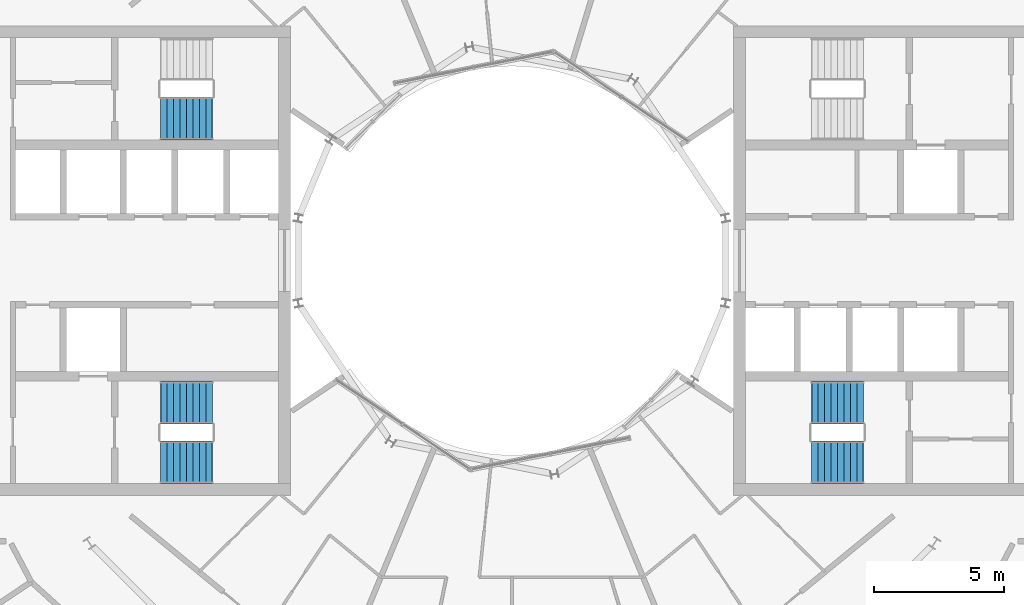
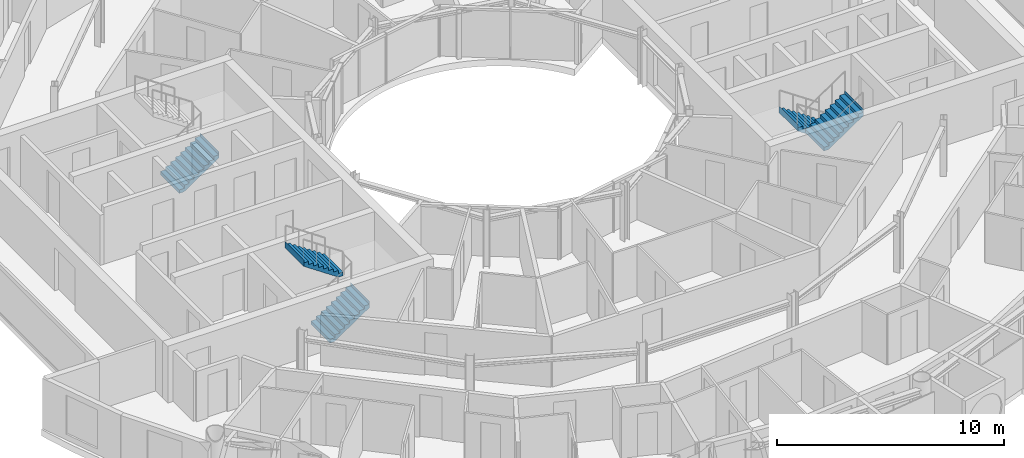
# One storey, part 26 of 29: 5 stair flights, 3 elements without a shape of their own.
"""IFC4 building model written with IfcOpenShell, lengths in metres."""

from ifc_helpers import new_model, si_unit, direction, frame, origin, place, context, subcontext, project, spatial, triangles, material, type_object, element, aggregate, save


model = new_model("IFC4")

# Units and contexts
model_context = context("Model", 3, precision=1e-05, world=origin(), true_north=direction((0.0, 1.0)))
body_context = subcontext(model_context, "Body", "Model", "MODEL_VIEW")
ifc_project = project(units=[si_unit("LENGTHUNIT", "METRE"), si_unit("AREAUNIT", "SQUARE_METRE"), si_unit("VOLUMEUNIT", "CUBIC_METRE"), si_unit("PLANEANGLEUNIT", "RADIAN"), si_unit("MASSUNIT", "GRAM", prefix="KILO")], contexts=[model_context])

# Site, building, storey
site_placement = place(None, origin())
site = spatial("IfcSite", under=ifc_project, at=site_placement, CompositionType="ELEMENT")
building_placement = place(site_placement, origin())
building = spatial("IfcBuilding", under=site, at=building_placement, Name="Maasbend Ring Residences", CompositionType="ELEMENT")
storey_placement = place(building_placement, frame((0.0, 0.0, 202.39990234375)))
storey = spatial("IfcBuildingStorey", under=building, at=storey_placement, Name="L58", CompositionType="ELEMENT", Elevation=202.39990234375)

# Stair, stair flights
ifc_material_1 = material(Name="Concrete C40/50", Category="concrete")
stair_type = type_object("IfcStairType", Name="CORE STAIR 18 RISERS", PredefinedType="HALF_TURN_STAIR", material=ifc_material_1)
stair_1_placement = place(storey_placement, origin())
stair_1 = element("IfcStair", 1, at=stair_1_placement, inside=storey, type_object=stair_type, Name="L58 Exit stair ST-E2", PredefinedType="HALF_TURN_STAIR")
ifc_material_2 = material(Name="Concrete C40/50", Category="concrete")
stair_flight_type = type_object("IfcStairFlightType", Name="CORE STAIR FLIGHT 1650", PredefinedType="STRAIGHT", material=ifc_material_2)
stair_flight_1_placement = place(storey_placement, frame((13.550048828125, -5.47509765625, 0.0), z_axis=(0.0, 0.0, 1.0), x_axis=(-1.0, 0.0, 0.0)))
stair_flight_1 = element("IfcStairFlight", 2, at=stair_flight_1_placement, type_object=stair_flight_type, Name="ST-E2 flight 1", NumberOfRisers=9, NumberOfTreads=8, PredefinedType="STRAIGHT", RiserHeight=0.169444444, TreadLength=0.25, context=body_context, shape_type="Tessellation", body=[
    triangles([(0.24072265625, 0.824951171875, -0.02001953125), (2.0029296875, 0.824951171875, 1.174560546875), (2.0029296875, 0.824951171875, 1.52490234375), (1.989990234375, 0.824951171875, 1.35546875), (1.75, 0.824951171875, 1.35546875), (1.75, 0.824951171875, 1.18603515625), (1.5, 0.824951171875, 1.18603515625), (1.5, 0.824951171875, 1.0166015625), (1.25, 0.824951171875, 1.0166015625), (1.25, 0.824951171875, 0.84716796875), (1.0, 0.824951171875, 0.84716796875), (1.0, 0.824951171875, 0.677734375), (0.75, 0.824951171875, 0.677734375), (0.75, 0.824951171875, 0.50830078125), (0.5, 0.824951171875, 0.50830078125), (0.5, 0.824951171875, 0.3388671875), (0.25, 0.824951171875, 0.3388671875), (0.25, 0.824951171875, 0.16943359375), (0.0, 0.824951171875, 0.16943359375), (0.0, 0.824951171875, 0.0), (-0.0029296875, 0.824951171875, 0.0), (-0.0029296875, 0.824951171875, -0.02001953125), (0.24072265625, 0.27490234375, -0.02001953125), (2.0029296875, 0.27490234375, 1.174560546875), (2.0029296875, 0.27490234375, 1.52490234375), (1.989990234375, 0.27490234375, 1.35546875), (1.75, 0.27490234375, 1.35546875), (1.75, 0.27490234375, 1.18603515625), (1.5, 0.27490234375, 1.18603515625), (1.5, 0.27490234375, 1.0166015625), (1.25, 0.27490234375, 1.0166015625), (1.25, 0.27490234375, 0.84716796875), (1.0, 0.27490234375, 0.84716796875), (1.0, 0.27490234375, 0.677734375), (0.75, 0.27490234375, 0.677734375), (0.75, 0.27490234375, 0.50830078125), (0.5, 0.27490234375, 0.50830078125), (0.5, 0.27490234375, 0.3388671875), (0.25, 0.27490234375, 0.3388671875), (0.25, 0.27490234375, 0.16943359375), (0.0, 0.27490234375, 0.16943359375), (0.0, 0.27490234375, 0.0), (-0.0029296875, 0.27490234375, 0.0), (-0.0029296875, 0.27490234375, -0.02001953125), (0.24072265625, -0.27490234375, -0.02001953125), (2.0029296875, -0.27490234375, 1.174560546875), (2.0029296875, -0.27490234375, 1.52490234375), (1.989990234375, -0.27490234375, 1.35546875), (1.75, -0.27490234375, 1.35546875), (1.75, -0.27490234375, 1.18603515625), (1.5, -0.27490234375, 1.18603515625), (1.5, -0.27490234375, 1.0166015625), (1.25, -0.27490234375, 1.0166015625), (1.25, -0.27490234375, 0.84716796875), (1.0, -0.27490234375, 0.84716796875), (1.0, -0.27490234375, 0.677734375), (0.75, -0.27490234375, 0.677734375), (0.75, -0.27490234375, 0.50830078125), (0.5, -0.27490234375, 0.50830078125), (0.5, -0.27490234375, 0.3388671875), (0.25, -0.27490234375, 0.3388671875), (0.25, -0.27490234375, 0.16943359375), (0.0, -0.27490234375, 0.16943359375), (0.0, -0.27490234375, 0.0), (-0.0029296875, -0.27490234375, 0.0), (-0.0029296875, -0.27490234375, -0.02001953125), (0.24072265625, -0.824951171875, -0.02001953125), (2.0029296875, -0.824951171875, 1.174560546875), (2.0029296875, -0.824951171875, 1.52490234375), (1.989990234375, -0.824951171875, 1.35546875), (1.75, -0.824951171875, 1.35546875), (1.75, -0.824951171875, 1.18603515625), (1.5, -0.824951171875, 1.18603515625), (1.5, -0.824951171875, 1.0166015625), (1.25, -0.824951171875, 1.0166015625), (1.25, -0.824951171875, 0.84716796875), (1.0, -0.824951171875, 0.84716796875), (1.0, -0.824951171875, 0.677734375), (0.75, -0.824951171875, 0.677734375), (0.75, -0.824951171875, 0.50830078125), (0.5, -0.824951171875, 0.50830078125), (0.5, -0.824951171875, 0.3388671875), (0.25, -0.824951171875, 0.3388671875), (0.25, -0.824951171875, 0.16943359375), (0.0, -0.824951171875, 0.16943359375), (0.0, -0.824951171875, 0.0), (-0.0029296875, -0.824951171875, 0.0), (-0.0029296875, -0.824951171875, -0.02001953125)], [[1, 2, 24], [1, 24, 23], [23, 24, 46], [23, 46, 45], [45, 46, 68], [45, 68, 67], [2, 3, 25], [2, 25, 24], [24, 25, 47], [24, 47, 46], [46, 47, 69], [46, 69, 68], [3, 4, 26], [3, 26, 25], [25, 26, 48], [25, 48, 47], [47, 48, 70], [47, 70, 69], [4, 5, 27], [4, 27, 26], [26, 27, 49], [26, 49, 48], [48, 49, 71], [48, 71, 70], [5, 6, 28], [5, 28, 27], [27, 28, 50], [27, 50, 49], [49, 50, 72], [49, 72, 71], [6, 7, 29], [6, 29, 28], [28, 29, 51], [28, 51, 50], [50, 51, 73], [50, 73, 72], [7, 8, 30], [7, 30, 29], [29, 30, 52], [29, 52, 51], [51, 52, 74], [51, 74, 73], [8, 9, 31], [8, 31, 30], [30, 31, 53], [30, 53, 52], [52, 53, 75], [52, 75, 74], [9, 10, 32], [9, 32, 31], [31, 32, 54], [31, 54, 53], [53, 54, 76], [53, 76, 75], [10, 11, 33], [10, 33, 32], [32, 33, 55], [32, 55, 54], [54, 55, 77], [54, 77, 76], [11, 12, 34], [11, 34, 33], [33, 34, 56], [33, 56, 55], [55, 56, 78], [55, 78, 77], [12, 13, 35], [12, 35, 34], [34, 35, 57], [34, 57, 56], [56, 57, 79], [56, 79, 78], [13, 14, 36], [13, 36, 35], [35, 36, 58], [35, 58, 57], [57, 58, 80], [57, 80, 79], [14, 15, 37], [14, 37, 36], [36, 37, 59], [36, 59, 58], [58, 59, 81], [58, 81, 80], [15, 16, 38], [15, 38, 37], [37, 38, 60], [37, 60, 59], [59, 60, 82], [59, 82, 81], [16, 17, 39], [16, 39, 38], [38, 39, 61], [38, 61, 60], [60, 61, 83], [60, 83, 82], [17, 18, 40], [17, 40, 39], [39, 40, 62], [39, 62, 61], [61, 62, 84], [61, 84, 83], [18, 19, 41], [18, 41, 40], [40, 41, 63], [40, 63, 62], [62, 63, 85], [62, 85, 84], [19, 20, 42], [19, 42, 41], [41, 42, 64], [41, 64, 63], [63, 64, 86], [63, 86, 85], [20, 21, 43], [20, 43, 42], [42, 43, 65], [42, 65, 64], [64, 65, 87], [64, 87, 86], [21, 22, 44], [21, 44, 43], [43, 44, 66], [43, 66, 65], [65, 66, 88], [65, 88, 87], [22, 1, 23], [22, 23, 44], [44, 23, 45], [44, 45, 66], [66, 45, 67], [66, 67, 88], [22, 2, 1], [2, 4, 3], [2, 5, 4], [2, 6, 5], [22, 6, 2], [6, 8, 7], [22, 8, 6], [8, 10, 9], [22, 10, 8], [10, 12, 11], [22, 12, 10], [12, 14, 13], [22, 14, 12], [14, 16, 15], [22, 16, 14], [16, 18, 17], [22, 18, 16], [18, 20, 19], [22, 20, 18], [20, 22, 21], [88, 67, 68], [68, 69, 70], [68, 70, 71], [68, 71, 72], [88, 68, 72], [72, 73, 74], [88, 72, 74], [74, 75, 76], [88, 74, 76], [76, 77, 78], [88, 76, 78], [78, 79, 80], [88, 78, 80], [80, 81, 82], [88, 80, 82], [82, 83, 84], [88, 82, 84], [84, 85, 86], [88, 84, 86], [86, 87, 88]], closed=True),
])
stair_flight_2_placement = place(storey_placement, frame((11.550048828125, -7.77490234375, 1.525146484375), z_axis=(0.0, 0.0, 1.0), x_axis=(1.0, 0.0, 0.0)))
stair_flight_2 = element("IfcStairFlight", 3, at=stair_flight_2_placement, type_object=stair_flight_type, Name="ST-E2 flight 2", NumberOfRisers=9, NumberOfTreads=8, PredefinedType="STRAIGHT", RiserHeight=0.169444444, TreadLength=0.25, context=body_context, shape_type="Tessellation", body=[
    triangles([(0.24072265625, 0.824951171875, -0.02001953125), (2.0029296875, 0.824951171875, 1.174560546875), (2.0029296875, 0.824951171875, 1.52490234375), (1.989990234375, 0.824951171875, 1.35546875), (1.75, 0.824951171875, 1.35546875), (1.75, 0.824951171875, 1.18603515625), (1.5, 0.824951171875, 1.18603515625), (1.5, 0.824951171875, 1.0166015625), (1.25, 0.824951171875, 1.0166015625), (1.25, 0.824951171875, 0.84716796875), (1.0, 0.824951171875, 0.84716796875), (1.0, 0.824951171875, 0.677734375), (0.75, 0.824951171875, 0.677734375), (0.75, 0.824951171875, 0.50830078125), (0.5, 0.824951171875, 0.50830078125), (0.5, 0.824951171875, 0.3388671875), (0.25, 0.824951171875, 0.3388671875), (0.25, 0.824951171875, 0.16943359375), (0.0, 0.824951171875, 0.16943359375), (0.0, 0.824951171875, 0.0), (-0.0029296875, 0.824951171875, 0.0), (-0.0029296875, 0.824951171875, -0.02001953125), (0.24072265625, 0.27490234375, -0.02001953125), (2.0029296875, 0.27490234375, 1.174560546875), (2.0029296875, 0.27490234375, 1.52490234375), (1.989990234375, 0.27490234375, 1.35546875), (1.75, 0.27490234375, 1.35546875), (1.75, 0.27490234375, 1.18603515625), (1.5, 0.27490234375, 1.18603515625), (1.5, 0.27490234375, 1.0166015625), (1.25, 0.27490234375, 1.0166015625), (1.25, 0.27490234375, 0.84716796875), (1.0, 0.27490234375, 0.84716796875), (1.0, 0.27490234375, 0.677734375), (0.75, 0.27490234375, 0.677734375), (0.75, 0.27490234375, 0.50830078125), (0.5, 0.27490234375, 0.50830078125), (0.5, 0.27490234375, 0.3388671875), (0.25, 0.27490234375, 0.3388671875), (0.25, 0.27490234375, 0.16943359375), (0.0, 0.27490234375, 0.16943359375), (0.0, 0.27490234375, 0.0), (-0.0029296875, 0.27490234375, 0.0), (-0.0029296875, 0.27490234375, -0.02001953125), (0.24072265625, -0.27490234375, -0.02001953125), (2.0029296875, -0.27490234375, 1.174560546875), (2.0029296875, -0.27490234375, 1.52490234375), (1.989990234375, -0.27490234375, 1.35546875), (1.75, -0.27490234375, 1.35546875), (1.75, -0.27490234375, 1.18603515625), (1.5, -0.27490234375, 1.18603515625), (1.5, -0.27490234375, 1.0166015625), (1.25, -0.27490234375, 1.0166015625), (1.25, -0.27490234375, 0.84716796875), (1.0, -0.27490234375, 0.84716796875), (1.0, -0.27490234375, 0.677734375), (0.75, -0.27490234375, 0.677734375), (0.75, -0.27490234375, 0.50830078125), (0.5, -0.27490234375, 0.50830078125), (0.5, -0.27490234375, 0.3388671875), (0.25, -0.27490234375, 0.3388671875), (0.25, -0.27490234375, 0.16943359375), (0.0, -0.27490234375, 0.16943359375), (0.0, -0.27490234375, 0.0), (-0.0029296875, -0.27490234375, 0.0), (-0.0029296875, -0.27490234375, -0.02001953125), (0.24072265625, -0.824951171875, -0.02001953125), (2.0029296875, -0.824951171875, 1.174560546875), (2.0029296875, -0.824951171875, 1.52490234375), (1.989990234375, -0.824951171875, 1.35546875), (1.75, -0.824951171875, 1.35546875), (1.75, -0.824951171875, 1.18603515625), (1.5, -0.824951171875, 1.18603515625), (1.5, -0.824951171875, 1.0166015625), (1.25, -0.824951171875, 1.0166015625), (1.25, -0.824951171875, 0.84716796875), (1.0, -0.824951171875, 0.84716796875), (1.0, -0.824951171875, 0.677734375), (0.75, -0.824951171875, 0.677734375), (0.75, -0.824951171875, 0.50830078125), (0.5, -0.824951171875, 0.50830078125), (0.5, -0.824951171875, 0.3388671875), (0.25, -0.824951171875, 0.3388671875), (0.25, -0.824951171875, 0.16943359375), (0.0, -0.824951171875, 0.16943359375), (0.0, -0.824951171875, 0.0), (-0.0029296875, -0.824951171875, 0.0), (-0.0029296875, -0.824951171875, -0.02001953125)], [[1, 2, 24], [1, 24, 23], [23, 24, 46], [23, 46, 45], [45, 46, 68], [45, 68, 67], [2, 3, 25], [2, 25, 24], [24, 25, 47], [24, 47, 46], [46, 47, 69], [46, 69, 68], [3, 4, 26], [3, 26, 25], [25, 26, 48], [25, 48, 47], [47, 48, 70], [47, 70, 69], [4, 5, 27], [4, 27, 26], [26, 27, 49], [26, 49, 48], [48, 49, 71], [48, 71, 70], [5, 6, 28], [5, 28, 27], [27, 28, 50], [27, 50, 49], [49, 50, 72], [49, 72, 71], [6, 7, 29], [6, 29, 28], [28, 29, 51], [28, 51, 50], [50, 51, 73], [50, 73, 72], [7, 8, 30], [7, 30, 29], [29, 30, 52], [29, 52, 51], [51, 52, 74], [51, 74, 73], [8, 9, 31], [8, 31, 30], [30, 31, 53], [30, 53, 52], [52, 53, 75], [52, 75, 74], [9, 10, 32], [9, 32, 31], [31, 32, 54], [31, 54, 53], [53, 54, 76], [53, 76, 75], [10, 11, 33], [10, 33, 32], [32, 33, 55], [32, 55, 54], [54, 55, 77], [54, 77, 76], [11, 12, 34], [11, 34, 33], [33, 34, 56], [33, 56, 55], [55, 56, 78], [55, 78, 77], [12, 13, 35], [12, 35, 34], [34, 35, 57], [34, 57, 56], [56, 57, 79], [56, 79, 78], [13, 14, 36], [13, 36, 35], [35, 36, 58], [35, 58, 57], [57, 58, 80], [57, 80, 79], [14, 15, 37], [14, 37, 36], [36, 37, 59], [36, 59, 58], [58, 59, 81], [58, 81, 80], [15, 16, 38], [15, 38, 37], [37, 38, 60], [37, 60, 59], [59, 60, 82], [59, 82, 81], [16, 17, 39], [16, 39, 38], [38, 39, 61], [38, 61, 60], [60, 61, 83], [60, 83, 82], [17, 18, 40], [17, 40, 39], [39, 40, 62], [39, 62, 61], [61, 62, 84], [61, 84, 83], [18, 19, 41], [18, 41, 40], [40, 41, 63], [40, 63, 62], [62, 63, 85], [62, 85, 84], [19, 20, 42], [19, 42, 41], [41, 42, 64], [41, 64, 63], [63, 64, 86], [63, 86, 85], [20, 21, 43], [20, 43, 42], [42, 43, 65], [42, 65, 64], [64, 65, 87], [64, 87, 86], [21, 22, 44], [21, 44, 43], [43, 44, 66], [43, 66, 65], [65, 66, 88], [65, 88, 87], [22, 1, 23], [22, 23, 44], [44, 23, 45], [44, 45, 66], [66, 45, 67], [66, 67, 88], [22, 2, 1], [2, 4, 3], [2, 5, 4], [2, 6, 5], [22, 6, 2], [6, 8, 7], [22, 8, 6], [8, 10, 9], [22, 10, 8], [10, 12, 11], [22, 12, 10], [12, 14, 13], [22, 14, 12], [14, 16, 15], [22, 16, 14], [16, 18, 17], [22, 18, 16], [18, 20, 19], [22, 20, 18], [20, 22, 21], [88, 67, 68], [68, 69, 70], [68, 70, 71], [68, 71, 72], [88, 68, 72], [72, 73, 74], [88, 72, 74], [74, 75, 76], [88, 74, 76], [76, 77, 78], [88, 76, 78], [78, 79, 80], [88, 78, 80], [80, 81, 82], [88, 80, 82], [82, 83, 84], [88, 82, 84], [84, 85, 86], [88, 84, 86], [86, 87, 88]], closed=True),
])
aggregate(stair_1, [stair_flight_1, stair_flight_2])

stair_2_placement = place(storey_placement, origin())
stair_2 = element("IfcStair", 4, at=stair_2_placement, inside=storey, type_object=stair_type, Name="L58 Exit stair ST-W1", PredefinedType="HALF_TURN_STAIR")
stair_flight_3_placement = place(storey_placement, frame((-13.550048828125, -7.77490234375, 0.0), z_axis=(0.0, 0.0, 1.0), x_axis=(1.0, 0.0, 0.0)))
stair_flight_3 = element("IfcStairFlight", 5, at=stair_flight_3_placement, type_object=stair_flight_type, Name="ST-W1 flight 1", NumberOfRisers=9, NumberOfTreads=8, PredefinedType="STRAIGHT", RiserHeight=0.169444444, TreadLength=0.25, context=body_context, shape_type="Tessellation", body=[
    triangles([(0.24072265625, 0.824951171875, -0.02001953125), (2.0029296875, 0.824951171875, 1.174560546875), (2.0029296875, 0.824951171875, 1.52490234375), (1.989990234375, 0.824951171875, 1.35546875), (1.75, 0.824951171875, 1.35546875), (1.75, 0.824951171875, 1.18603515625), (1.5, 0.824951171875, 1.18603515625), (1.5, 0.824951171875, 1.0166015625), (1.25, 0.824951171875, 1.0166015625), (1.25, 0.824951171875, 0.84716796875), (1.0, 0.824951171875, 0.84716796875), (1.0, 0.824951171875, 0.677734375), (0.75, 0.824951171875, 0.677734375), (0.75, 0.824951171875, 0.50830078125), (0.5, 0.824951171875, 0.50830078125), (0.5, 0.824951171875, 0.3388671875), (0.25, 0.824951171875, 0.3388671875), (0.25, 0.824951171875, 0.16943359375), (0.0, 0.824951171875, 0.16943359375), (0.0, 0.824951171875, 0.0), (-0.0029296875, 0.824951171875, 0.0), (-0.0029296875, 0.824951171875, -0.02001953125), (0.24072265625, 0.27490234375, -0.02001953125), (2.0029296875, 0.27490234375, 1.174560546875), (2.0029296875, 0.27490234375, 1.52490234375), (1.989990234375, 0.27490234375, 1.35546875), (1.75, 0.27490234375, 1.35546875), (1.75, 0.27490234375, 1.18603515625), (1.5, 0.27490234375, 1.18603515625), (1.5, 0.27490234375, 1.0166015625), (1.25, 0.27490234375, 1.0166015625), (1.25, 0.27490234375, 0.84716796875), (1.0, 0.27490234375, 0.84716796875), (1.0, 0.27490234375, 0.677734375), (0.75, 0.27490234375, 0.677734375), (0.75, 0.27490234375, 0.50830078125), (0.5, 0.27490234375, 0.50830078125), (0.5, 0.27490234375, 0.3388671875), (0.25, 0.27490234375, 0.3388671875), (0.25, 0.27490234375, 0.16943359375), (0.0, 0.27490234375, 0.16943359375), (0.0, 0.27490234375, 0.0), (-0.0029296875, 0.27490234375, 0.0), (-0.0029296875, 0.27490234375, -0.02001953125), (0.24072265625, -0.27490234375, -0.02001953125), (2.0029296875, -0.27490234375, 1.174560546875), (2.0029296875, -0.27490234375, 1.52490234375), (1.989990234375, -0.27490234375, 1.35546875), (1.75, -0.27490234375, 1.35546875), (1.75, -0.27490234375, 1.18603515625), (1.5, -0.27490234375, 1.18603515625), (1.5, -0.27490234375, 1.0166015625), (1.25, -0.27490234375, 1.0166015625), (1.25, -0.27490234375, 0.84716796875), (1.0, -0.27490234375, 0.84716796875), (1.0, -0.27490234375, 0.677734375), (0.75, -0.27490234375, 0.677734375), (0.75, -0.27490234375, 0.50830078125), (0.5, -0.27490234375, 0.50830078125), (0.5, -0.27490234375, 0.3388671875), (0.25, -0.27490234375, 0.3388671875), (0.25, -0.27490234375, 0.16943359375), (0.0, -0.27490234375, 0.16943359375), (0.0, -0.27490234375, 0.0), (-0.0029296875, -0.27490234375, 0.0), (-0.0029296875, -0.27490234375, -0.02001953125), (0.24072265625, -0.824951171875, -0.02001953125), (2.0029296875, -0.824951171875, 1.174560546875), (2.0029296875, -0.824951171875, 1.52490234375), (1.989990234375, -0.824951171875, 1.35546875), (1.75, -0.824951171875, 1.35546875), (1.75, -0.824951171875, 1.18603515625), (1.5, -0.824951171875, 1.18603515625), (1.5, -0.824951171875, 1.0166015625), (1.25, -0.824951171875, 1.0166015625), (1.25, -0.824951171875, 0.84716796875), (1.0, -0.824951171875, 0.84716796875), (1.0, -0.824951171875, 0.677734375), (0.75, -0.824951171875, 0.677734375), (0.75, -0.824951171875, 0.50830078125), (0.5, -0.824951171875, 0.50830078125), (0.5, -0.824951171875, 0.3388671875), (0.25, -0.824951171875, 0.3388671875), (0.25, -0.824951171875, 0.16943359375), (0.0, -0.824951171875, 0.16943359375), (0.0, -0.824951171875, 0.0), (-0.0029296875, -0.824951171875, 0.0), (-0.0029296875, -0.824951171875, -0.02001953125)], [[1, 2, 24], [1, 24, 23], [23, 24, 46], [23, 46, 45], [45, 46, 68], [45, 68, 67], [2, 3, 25], [2, 25, 24], [24, 25, 47], [24, 47, 46], [46, 47, 69], [46, 69, 68], [3, 4, 26], [3, 26, 25], [25, 26, 48], [25, 48, 47], [47, 48, 70], [47, 70, 69], [4, 5, 27], [4, 27, 26], [26, 27, 49], [26, 49, 48], [48, 49, 71], [48, 71, 70], [5, 6, 28], [5, 28, 27], [27, 28, 50], [27, 50, 49], [49, 50, 72], [49, 72, 71], [6, 7, 29], [6, 29, 28], [28, 29, 51], [28, 51, 50], [50, 51, 73], [50, 73, 72], [7, 8, 30], [7, 30, 29], [29, 30, 52], [29, 52, 51], [51, 52, 74], [51, 74, 73], [8, 9, 31], [8, 31, 30], [30, 31, 53], [30, 53, 52], [52, 53, 75], [52, 75, 74], [9, 10, 32], [9, 32, 31], [31, 32, 54], [31, 54, 53], [53, 54, 76], [53, 76, 75], [10, 11, 33], [10, 33, 32], [32, 33, 55], [32, 55, 54], [54, 55, 77], [54, 77, 76], [11, 12, 34], [11, 34, 33], [33, 34, 56], [33, 56, 55], [55, 56, 78], [55, 78, 77], [12, 13, 35], [12, 35, 34], [34, 35, 57], [34, 57, 56], [56, 57, 79], [56, 79, 78], [13, 14, 36], [13, 36, 35], [35, 36, 58], [35, 58, 57], [57, 58, 80], [57, 80, 79], [14, 15, 37], [14, 37, 36], [36, 37, 59], [36, 59, 58], [58, 59, 81], [58, 81, 80], [15, 16, 38], [15, 38, 37], [37, 38, 60], [37, 60, 59], [59, 60, 82], [59, 82, 81], [16, 17, 39], [16, 39, 38], [38, 39, 61], [38, 61, 60], [60, 61, 83], [60, 83, 82], [17, 18, 40], [17, 40, 39], [39, 40, 62], [39, 62, 61], [61, 62, 84], [61, 84, 83], [18, 19, 41], [18, 41, 40], [40, 41, 63], [40, 63, 62], [62, 63, 85], [62, 85, 84], [19, 20, 42], [19, 42, 41], [41, 42, 64], [41, 64, 63], [63, 64, 86], [63, 86, 85], [20, 21, 43], [20, 43, 42], [42, 43, 65], [42, 65, 64], [64, 65, 87], [64, 87, 86], [21, 22, 44], [21, 44, 43], [43, 44, 66], [43, 66, 65], [65, 66, 88], [65, 88, 87], [22, 1, 23], [22, 23, 44], [44, 23, 45], [44, 45, 66], [66, 45, 67], [66, 67, 88], [22, 2, 1], [2, 4, 3], [2, 5, 4], [2, 6, 5], [22, 6, 2], [6, 8, 7], [22, 8, 6], [8, 10, 9], [22, 10, 8], [10, 12, 11], [22, 12, 10], [12, 14, 13], [22, 14, 12], [14, 16, 15], [22, 16, 14], [16, 18, 17], [22, 18, 16], [18, 20, 19], [22, 20, 18], [20, 22, 21], [88, 67, 68], [68, 69, 70], [68, 70, 71], [68, 71, 72], [88, 68, 72], [72, 73, 74], [88, 72, 74], [74, 75, 76], [88, 74, 76], [76, 77, 78], [88, 76, 78], [78, 79, 80], [88, 78, 80], [80, 81, 82], [88, 80, 82], [82, 83, 84], [88, 82, 84], [84, 85, 86], [88, 84, 86], [86, 87, 88]], closed=True),
])
stair_flight_4_placement = place(storey_placement, frame((-11.550048828125, -5.47509765625, 1.525146484375), z_axis=(0.0, 0.0, 1.0), x_axis=(-1.0, 0.0, 0.0)))
stair_flight_4 = element("IfcStairFlight", 6, at=stair_flight_4_placement, type_object=stair_flight_type, Name="ST-W1 flight 2", NumberOfRisers=9, NumberOfTreads=8, PredefinedType="STRAIGHT", RiserHeight=0.169444444, TreadLength=0.25, context=body_context, shape_type="Tessellation", body=[
    triangles([(0.24072265625, 0.824951171875, -0.02001953125), (2.0029296875, 0.824951171875, 1.174560546875), (2.0029296875, 0.824951171875, 1.52490234375), (1.989990234375, 0.824951171875, 1.35546875), (1.75, 0.824951171875, 1.35546875), (1.75, 0.824951171875, 1.18603515625), (1.5, 0.824951171875, 1.18603515625), (1.5, 0.824951171875, 1.0166015625), (1.25, 0.824951171875, 1.0166015625), (1.25, 0.824951171875, 0.84716796875), (1.0, 0.824951171875, 0.84716796875), (1.0, 0.824951171875, 0.677734375), (0.75, 0.824951171875, 0.677734375), (0.75, 0.824951171875, 0.50830078125), (0.5, 0.824951171875, 0.50830078125), (0.5, 0.824951171875, 0.3388671875), (0.25, 0.824951171875, 0.3388671875), (0.25, 0.824951171875, 0.16943359375), (0.0, 0.824951171875, 0.16943359375), (0.0, 0.824951171875, 0.0), (-0.0029296875, 0.824951171875, 0.0), (-0.0029296875, 0.824951171875, -0.02001953125), (0.24072265625, 0.27490234375, -0.02001953125), (2.0029296875, 0.27490234375, 1.174560546875), (2.0029296875, 0.27490234375, 1.52490234375), (1.989990234375, 0.27490234375, 1.35546875), (1.75, 0.27490234375, 1.35546875), (1.75, 0.27490234375, 1.18603515625), (1.5, 0.27490234375, 1.18603515625), (1.5, 0.27490234375, 1.0166015625), (1.25, 0.27490234375, 1.0166015625), (1.25, 0.27490234375, 0.84716796875), (1.0, 0.27490234375, 0.84716796875), (1.0, 0.27490234375, 0.677734375), (0.75, 0.27490234375, 0.677734375), (0.75, 0.27490234375, 0.50830078125), (0.5, 0.27490234375, 0.50830078125), (0.5, 0.27490234375, 0.3388671875), (0.25, 0.27490234375, 0.3388671875), (0.25, 0.27490234375, 0.16943359375), (0.0, 0.27490234375, 0.16943359375), (0.0, 0.27490234375, 0.0), (-0.0029296875, 0.27490234375, 0.0), (-0.0029296875, 0.27490234375, -0.02001953125), (0.24072265625, -0.27490234375, -0.02001953125), (2.0029296875, -0.27490234375, 1.174560546875), (2.0029296875, -0.27490234375, 1.52490234375), (1.989990234375, -0.27490234375, 1.35546875), (1.75, -0.27490234375, 1.35546875), (1.75, -0.27490234375, 1.18603515625), (1.5, -0.27490234375, 1.18603515625), (1.5, -0.27490234375, 1.0166015625), (1.25, -0.27490234375, 1.0166015625), (1.25, -0.27490234375, 0.84716796875), (1.0, -0.27490234375, 0.84716796875), (1.0, -0.27490234375, 0.677734375), (0.75, -0.27490234375, 0.677734375), (0.75, -0.27490234375, 0.50830078125), (0.5, -0.27490234375, 0.50830078125), (0.5, -0.27490234375, 0.3388671875), (0.25, -0.27490234375, 0.3388671875), (0.25, -0.27490234375, 0.16943359375), (0.0, -0.27490234375, 0.16943359375), (0.0, -0.27490234375, 0.0), (-0.0029296875, -0.27490234375, 0.0), (-0.0029296875, -0.27490234375, -0.02001953125), (0.24072265625, -0.824951171875, -0.02001953125), (2.0029296875, -0.824951171875, 1.174560546875), (2.0029296875, -0.824951171875, 1.52490234375), (1.989990234375, -0.824951171875, 1.35546875), (1.75, -0.824951171875, 1.35546875), (1.75, -0.824951171875, 1.18603515625), (1.5, -0.824951171875, 1.18603515625), (1.5, -0.824951171875, 1.0166015625), (1.25, -0.824951171875, 1.0166015625), (1.25, -0.824951171875, 0.84716796875), (1.0, -0.824951171875, 0.84716796875), (1.0, -0.824951171875, 0.677734375), (0.75, -0.824951171875, 0.677734375), (0.75, -0.824951171875, 0.50830078125), (0.5, -0.824951171875, 0.50830078125), (0.5, -0.824951171875, 0.3388671875), (0.25, -0.824951171875, 0.3388671875), (0.25, -0.824951171875, 0.16943359375), (0.0, -0.824951171875, 0.16943359375), (0.0, -0.824951171875, 0.0), (-0.0029296875, -0.824951171875, 0.0), (-0.0029296875, -0.824951171875, -0.02001953125)], [[1, 2, 24], [1, 24, 23], [23, 24, 46], [23, 46, 45], [45, 46, 68], [45, 68, 67], [2, 3, 25], [2, 25, 24], [24, 25, 47], [24, 47, 46], [46, 47, 69], [46, 69, 68], [3, 4, 26], [3, 26, 25], [25, 26, 48], [25, 48, 47], [47, 48, 70], [47, 70, 69], [4, 5, 27], [4, 27, 26], [26, 27, 49], [26, 49, 48], [48, 49, 71], [48, 71, 70], [5, 6, 28], [5, 28, 27], [27, 28, 50], [27, 50, 49], [49, 50, 72], [49, 72, 71], [6, 7, 29], [6, 29, 28], [28, 29, 51], [28, 51, 50], [50, 51, 73], [50, 73, 72], [7, 8, 30], [7, 30, 29], [29, 30, 52], [29, 52, 51], [51, 52, 74], [51, 74, 73], [8, 9, 31], [8, 31, 30], [30, 31, 53], [30, 53, 52], [52, 53, 75], [52, 75, 74], [9, 10, 32], [9, 32, 31], [31, 32, 54], [31, 54, 53], [53, 54, 76], [53, 76, 75], [10, 11, 33], [10, 33, 32], [32, 33, 55], [32, 55, 54], [54, 55, 77], [54, 77, 76], [11, 12, 34], [11, 34, 33], [33, 34, 56], [33, 56, 55], [55, 56, 78], [55, 78, 77], [12, 13, 35], [12, 35, 34], [34, 35, 57], [34, 57, 56], [56, 57, 79], [56, 79, 78], [13, 14, 36], [13, 36, 35], [35, 36, 58], [35, 58, 57], [57, 58, 80], [57, 80, 79], [14, 15, 37], [14, 37, 36], [36, 37, 59], [36, 59, 58], [58, 59, 81], [58, 81, 80], [15, 16, 38], [15, 38, 37], [37, 38, 60], [37, 60, 59], [59, 60, 82], [59, 82, 81], [16, 17, 39], [16, 39, 38], [38, 39, 61], [38, 61, 60], [60, 61, 83], [60, 83, 82], [17, 18, 40], [17, 40, 39], [39, 40, 62], [39, 62, 61], [61, 62, 84], [61, 84, 83], [18, 19, 41], [18, 41, 40], [40, 41, 63], [40, 63, 62], [62, 63, 85], [62, 85, 84], [19, 20, 42], [19, 42, 41], [41, 42, 64], [41, 64, 63], [63, 64, 86], [63, 86, 85], [20, 21, 43], [20, 43, 42], [42, 43, 65], [42, 65, 64], [64, 65, 87], [64, 87, 86], [21, 22, 44], [21, 44, 43], [43, 44, 66], [43, 66, 65], [65, 66, 88], [65, 88, 87], [22, 1, 23], [22, 23, 44], [44, 23, 45], [44, 45, 66], [66, 45, 67], [66, 67, 88], [22, 2, 1], [2, 4, 3], [2, 5, 4], [2, 6, 5], [22, 6, 2], [6, 8, 7], [22, 8, 6], [8, 10, 9], [22, 10, 8], [10, 12, 11], [22, 12, 10], [12, 14, 13], [22, 14, 12], [14, 16, 15], [22, 16, 14], [16, 18, 17], [22, 18, 16], [18, 20, 19], [22, 20, 18], [20, 22, 21], [88, 67, 68], [68, 69, 70], [68, 70, 71], [68, 71, 72], [88, 68, 72], [72, 73, 74], [88, 72, 74], [74, 75, 76], [88, 74, 76], [76, 77, 78], [88, 76, 78], [78, 79, 80], [88, 78, 80], [80, 81, 82], [88, 80, 82], [82, 83, 84], [88, 82, 84], [84, 85, 86], [88, 84, 86], [86, 87, 88]], closed=True),
])
aggregate(stair_2, [stair_flight_3, stair_flight_4])

# Stair, stair flight
stair_3_placement = place(storey_placement, origin())
stair_3 = element("IfcStair", 7, at=stair_3_placement, inside=storey, type_object=stair_type, Name="L58 Exit stair ST-W2", PredefinedType="HALF_TURN_STAIR")
stair_flight_5_placement = place(storey_placement, frame((-13.550048828125, 5.47509765625, 0.0), z_axis=(0.0, 0.0, 1.0), x_axis=(1.0, 0.0, 0.0)))
stair_flight_5 = element("IfcStairFlight", 8, at=stair_flight_5_placement, type_object=stair_flight_type, Name="ST-W2 flight 1", NumberOfRisers=9, NumberOfTreads=8, PredefinedType="STRAIGHT", RiserHeight=0.169444444, TreadLength=0.25, context=body_context, shape_type="Tessellation", body=[
    triangles([(0.24072265625, 0.824951171875, -0.02001953125), (2.0029296875, 0.824951171875, 1.174560546875), (2.0029296875, 0.824951171875, 1.52490234375), (1.989990234375, 0.824951171875, 1.35546875), (1.75, 0.824951171875, 1.35546875), (1.75, 0.824951171875, 1.18603515625), (1.5, 0.824951171875, 1.18603515625), (1.5, 0.824951171875, 1.0166015625), (1.25, 0.824951171875, 1.0166015625), (1.25, 0.824951171875, 0.84716796875), (1.0, 0.824951171875, 0.84716796875), (1.0, 0.824951171875, 0.677734375), (0.75, 0.824951171875, 0.677734375), (0.75, 0.824951171875, 0.50830078125), (0.5, 0.824951171875, 0.50830078125), (0.5, 0.824951171875, 0.3388671875), (0.25, 0.824951171875, 0.3388671875), (0.25, 0.824951171875, 0.16943359375), (0.0, 0.824951171875, 0.16943359375), (0.0, 0.824951171875, 0.0), (-0.0029296875, 0.824951171875, 0.0), (-0.0029296875, 0.824951171875, -0.02001953125), (0.24072265625, 0.27490234375, -0.02001953125), (2.0029296875, 0.27490234375, 1.174560546875), (2.0029296875, 0.27490234375, 1.52490234375), (1.989990234375, 0.27490234375, 1.35546875), (1.75, 0.27490234375, 1.35546875), (1.75, 0.27490234375, 1.18603515625), (1.5, 0.27490234375, 1.18603515625), (1.5, 0.27490234375, 1.0166015625), (1.25, 0.27490234375, 1.0166015625), (1.25, 0.27490234375, 0.84716796875), (1.0, 0.27490234375, 0.84716796875), (1.0, 0.27490234375, 0.677734375), (0.75, 0.27490234375, 0.677734375), (0.75, 0.27490234375, 0.50830078125), (0.5, 0.27490234375, 0.50830078125), (0.5, 0.27490234375, 0.3388671875), (0.25, 0.27490234375, 0.3388671875), (0.25, 0.27490234375, 0.16943359375), (0.0, 0.27490234375, 0.16943359375), (0.0, 0.27490234375, 0.0), (-0.0029296875, 0.27490234375, 0.0), (-0.0029296875, 0.27490234375, -0.02001953125), (0.24072265625, -0.27490234375, -0.02001953125), (2.0029296875, -0.27490234375, 1.174560546875), (2.0029296875, -0.27490234375, 1.52490234375), (1.989990234375, -0.27490234375, 1.35546875), (1.75, -0.27490234375, 1.35546875), (1.75, -0.27490234375, 1.18603515625), (1.5, -0.27490234375, 1.18603515625), (1.5, -0.27490234375, 1.0166015625), (1.25, -0.27490234375, 1.0166015625), (1.25, -0.27490234375, 0.84716796875), (1.0, -0.27490234375, 0.84716796875), (1.0, -0.27490234375, 0.677734375), (0.75, -0.27490234375, 0.677734375), (0.75, -0.27490234375, 0.50830078125), (0.5, -0.27490234375, 0.50830078125), (0.5, -0.27490234375, 0.3388671875), (0.25, -0.27490234375, 0.3388671875), (0.25, -0.27490234375, 0.16943359375), (0.0, -0.27490234375, 0.16943359375), (0.0, -0.27490234375, 0.0), (-0.0029296875, -0.27490234375, 0.0), (-0.0029296875, -0.27490234375, -0.02001953125), (0.24072265625, -0.824951171875, -0.02001953125), (2.0029296875, -0.824951171875, 1.174560546875), (2.0029296875, -0.824951171875, 1.52490234375), (1.989990234375, -0.824951171875, 1.35546875), (1.75, -0.824951171875, 1.35546875), (1.75, -0.824951171875, 1.18603515625), (1.5, -0.824951171875, 1.18603515625), (1.5, -0.824951171875, 1.0166015625), (1.25, -0.824951171875, 1.0166015625), (1.25, -0.824951171875, 0.84716796875), (1.0, -0.824951171875, 0.84716796875), (1.0, -0.824951171875, 0.677734375), (0.75, -0.824951171875, 0.677734375), (0.75, -0.824951171875, 0.50830078125), (0.5, -0.824951171875, 0.50830078125), (0.5, -0.824951171875, 0.3388671875), (0.25, -0.824951171875, 0.3388671875), (0.25, -0.824951171875, 0.16943359375), (0.0, -0.824951171875, 0.16943359375), (0.0, -0.824951171875, 0.0), (-0.0029296875, -0.824951171875, 0.0), (-0.0029296875, -0.824951171875, -0.02001953125)], [[1, 2, 24], [1, 24, 23], [23, 24, 46], [23, 46, 45], [45, 46, 68], [45, 68, 67], [2, 3, 25], [2, 25, 24], [24, 25, 47], [24, 47, 46], [46, 47, 69], [46, 69, 68], [3, 4, 26], [3, 26, 25], [25, 26, 48], [25, 48, 47], [47, 48, 70], [47, 70, 69], [4, 5, 27], [4, 27, 26], [26, 27, 49], [26, 49, 48], [48, 49, 71], [48, 71, 70], [5, 6, 28], [5, 28, 27], [27, 28, 50], [27, 50, 49], [49, 50, 72], [49, 72, 71], [6, 7, 29], [6, 29, 28], [28, 29, 51], [28, 51, 50], [50, 51, 73], [50, 73, 72], [7, 8, 30], [7, 30, 29], [29, 30, 52], [29, 52, 51], [51, 52, 74], [51, 74, 73], [8, 9, 31], [8, 31, 30], [30, 31, 53], [30, 53, 52], [52, 53, 75], [52, 75, 74], [9, 10, 32], [9, 32, 31], [31, 32, 54], [31, 54, 53], [53, 54, 76], [53, 76, 75], [10, 11, 33], [10, 33, 32], [32, 33, 55], [32, 55, 54], [54, 55, 77], [54, 77, 76], [11, 12, 34], [11, 34, 33], [33, 34, 56], [33, 56, 55], [55, 56, 78], [55, 78, 77], [12, 13, 35], [12, 35, 34], [34, 35, 57], [34, 57, 56], [56, 57, 79], [56, 79, 78], [13, 14, 36], [13, 36, 35], [35, 36, 58], [35, 58, 57], [57, 58, 80], [57, 80, 79], [14, 15, 37], [14, 37, 36], [36, 37, 59], [36, 59, 58], [58, 59, 81], [58, 81, 80], [15, 16, 38], [15, 38, 37], [37, 38, 60], [37, 60, 59], [59, 60, 82], [59, 82, 81], [16, 17, 39], [16, 39, 38], [38, 39, 61], [38, 61, 60], [60, 61, 83], [60, 83, 82], [17, 18, 40], [17, 40, 39], [39, 40, 62], [39, 62, 61], [61, 62, 84], [61, 84, 83], [18, 19, 41], [18, 41, 40], [40, 41, 63], [40, 63, 62], [62, 63, 85], [62, 85, 84], [19, 20, 42], [19, 42, 41], [41, 42, 64], [41, 64, 63], [63, 64, 86], [63, 86, 85], [20, 21, 43], [20, 43, 42], [42, 43, 65], [42, 65, 64], [64, 65, 87], [64, 87, 86], [21, 22, 44], [21, 44, 43], [43, 44, 66], [43, 66, 65], [65, 66, 88], [65, 88, 87], [22, 1, 23], [22, 23, 44], [44, 23, 45], [44, 45, 66], [66, 45, 67], [66, 67, 88], [22, 2, 1], [2, 4, 3], [2, 5, 4], [2, 6, 5], [22, 6, 2], [6, 8, 7], [22, 8, 6], [8, 10, 9], [22, 10, 8], [10, 12, 11], [22, 12, 10], [12, 14, 13], [22, 14, 12], [14, 16, 15], [22, 16, 14], [16, 18, 17], [22, 18, 16], [18, 20, 19], [22, 20, 18], [20, 22, 21], [88, 67, 68], [68, 69, 70], [68, 70, 71], [68, 71, 72], [88, 68, 72], [72, 73, 74], [88, 72, 74], [74, 75, 76], [88, 74, 76], [76, 77, 78], [88, 76, 78], [78, 79, 80], [88, 78, 80], [80, 81, 82], [88, 80, 82], [82, 83, 84], [88, 82, 84], [84, 85, 86], [88, 84, 86], [86, 87, 88]], closed=True),
])
aggregate(stair_3, [stair_flight_5])

save(model, "model.ifc")
